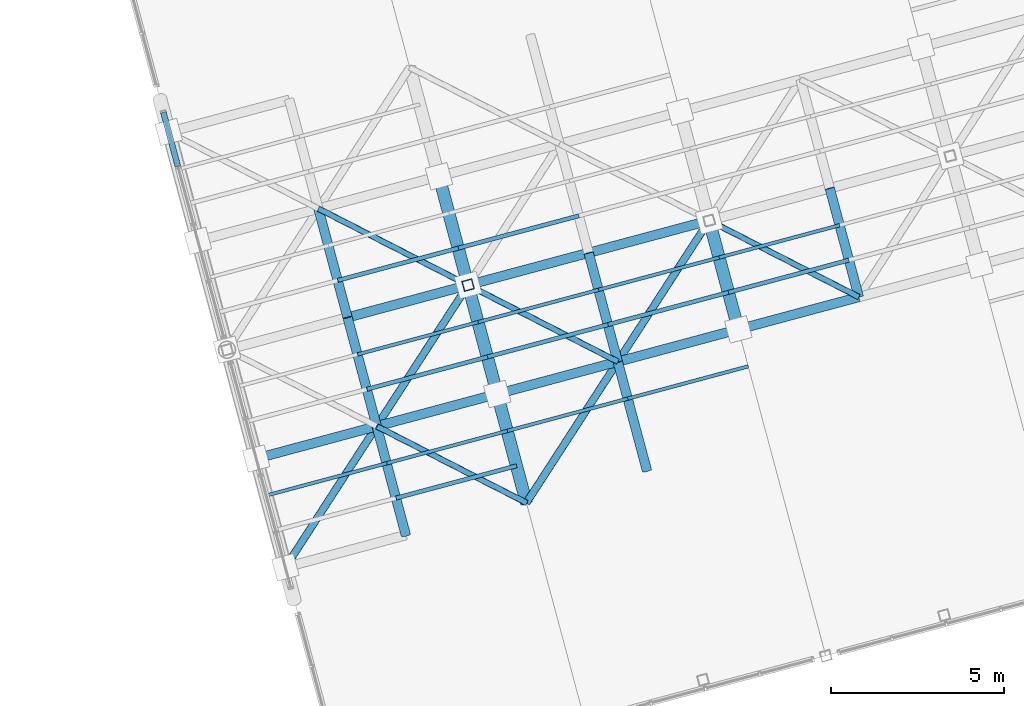
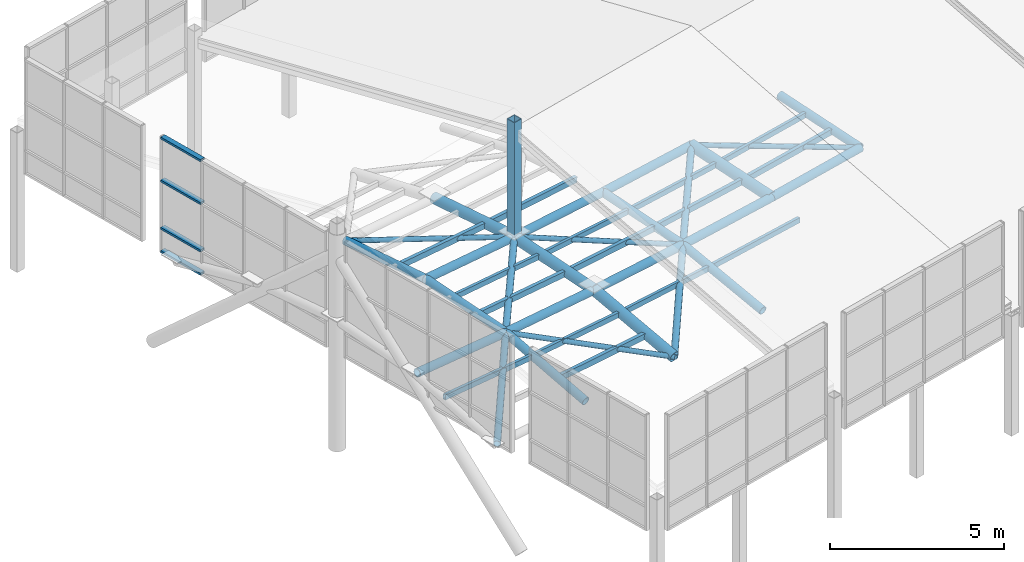
# One storey, part 6 of 28: 46 members, 1 element without a shape of its own.
"""IFC4 building model written with IfcOpenShell, lengths in metres."""

from ifc_helpers import new_model, si_unit, direction, frame, origin, origin_2d, place, context, subcontext, project, spatial, hollow_rectangle, hollow_circle, extrude, material, layer, layer_set, material_profile, profile_set, type_object, element, aggregate, save


model = new_model("IFC4")

# Units and contexts
model_context = context("Model", 3, precision=1e-05, world=origin(), true_north=direction((0.0, 1.0)))
body_context = subcontext(model_context, "Body", "Model", "MODEL_VIEW")
ifc_project = project(units=[si_unit("LENGTHUNIT", "METRE"), si_unit("AREAUNIT", "SQUARE_METRE"), si_unit("VOLUMEUNIT", "CUBIC_METRE"), si_unit("PLANEANGLEUNIT", "RADIAN"), si_unit("MASSUNIT", "GRAM", prefix="KILO")], contexts=[model_context])

# Site, building, storey
site_placement = place(None, origin())
site = spatial("IfcSite", under=ifc_project, at=site_placement, CompositionType="ELEMENT")
building_placement = place(site_placement, origin())
building = spatial("IfcBuilding", under=site, at=building_placement, Name="Ventoquebrada Cableway Terminal", CompositionType="ELEMENT")
storey_placement = place(building_placement, frame((0.0, 0.0, 23.39990234375)))
storey = spatial("IfcBuildingStorey", under=building, at=storey_placement, Name="RF", CompositionType="ELEMENT", Elevation=23.39990234375)

# Members
ifc_material_1 = material(Name="Steel ASTM A500 Grade C", Category="steel")
ifc_material_profile_1 = material_profile(ifc_material_1, hollow_circle(Radius=0.109619140625, WallThickness=0.010009765625, at=origin_2d()), Name="CHS219.1X10")
ifc_profile_set_1 = profile_set([ifc_material_profile_1], Name="Steel ASTM A500 Grade C")
member_type_1 = type_object("IfcMemberType", Name="BRC-GS01", PredefinedType="BRACE", material=ifc_profile_set_1)
member_1_placement = place(storey_placement, frame((50.2958984375, 76.06298828125, -0.06982421875), z_axis=(0.540495578496, 0.834747038198, 0.105175623823), x_axis=(-0.839402648036, 0.543510068416, 0.0)))
element("IfcMember", 1, at=member_1_placement, inside=storey, type_object=member_type_1, Name="Saddle gridshell diagrid brace GBR-0199", PredefinedType="BRACE", context=body_context, shape_type="SweptSolid", body=[
    extrude(hollow_circle(Radius=0.109619140625, WallThickness=0.010009765625, at=origin_2d()), origin(), (0.0, 0.0, 1.0), 4.876953125),
])
member_2_placement = place(storey_placement, frame((52.931884765625, 80.134033203125, 0.443115234375), z_axis=(0.54353223096, 0.839359136068, -0.006996756816), x_axis=(-0.83937968207, 0.543545535652, 0.0)))
element("IfcMember", 2, at=member_2_placement, inside=storey, type_object=member_type_1, Name="Saddle gridshell diagrid brace GBR-0226", PredefinedType="BRACE", context=body_context, shape_type="SweptSolid", body=[
    extrude(hollow_circle(Radius=0.109619140625, WallThickness=0.010009765625, at=origin_2d()), origin(), (0.0, 0.0, 1.0), 4.85009765625),
])
member_3_placement = place(storey_placement, frame((57.25, 77.926025390625, -0.587890625), z_axis=(0.540111573211, 0.834153976409, 0.111654073484), x_axis=(-0.839402648036, 0.543510068416, 0.0)))
element("IfcMember", 3, at=member_3_placement, inside=storey, type_object=member_type_1, Name="Saddle gridshell diagrid brace GBR-0247", PredefinedType="BRACE", context=body_context, shape_type="SweptSolid", body=[
    extrude(hollow_circle(Radius=0.109619140625, WallThickness=0.010009765625, at=origin_2d()), origin(), (0.0, 0.0, 1.0), 4.88037109375),
])
member_4_placement = place(storey_placement, frame((59.885986328125, 81.9970703125, -0.04296875), z_axis=(0.543522253057, 0.839110598067, 0.021839520214), x_axis=(-0.839310782724, 0.543651919892, 0.0)))
element("IfcMember", 4, at=member_4_placement, inside=storey, type_object=member_type_1, Name="Saddle gridshell diagrid brace GBR-0274", PredefinedType="BRACE", context=body_context, shape_type="SweptSolid", body=[
    extrude(hollow_circle(Radius=0.109619140625, WallThickness=0.010009765625, at=origin_2d()), origin(), (0.0, 0.0, 1.0), 4.8515625),
])
ifc_material_profile_2 = material_profile(ifc_material_1, hollow_circle(Radius=0.084228515625, WallThickness=0.008056640625, at=origin_2d()), Name="CHS168.3X8")
ifc_profile_set_2 = profile_set([ifc_material_profile_2], Name="Steel ASTM A500 Grade C")
member_type_2 = type_object("IfcMemberType", Name="BRC-GS02", PredefinedType="BRACE", material=ifc_profile_set_2)
member_5_placement = place(storey_placement, frame((52.931884765625, 80.134033203125, 0.443115234375), z_axis=(0.870892404229, -0.445318646681, -0.20793682496), x_axis=(0.455269816893, 0.890353521825, 0.0)))
element("IfcMember", 5, at=member_5_placement, inside=storey, type_object=member_type_2, Name="Saddle gridshell diagrid brace GBR-0223", PredefinedType="BRACE", context=body_context, shape_type="SweptSolid", body=[
    extrude(hollow_circle(Radius=0.084228515625, WallThickness=0.008056640625, at=origin_2d()), origin(), (0.0, 0.0, 1.0), 4.958251953125),
])
member_6_placement = place(storey_placement, frame((51.25, 86.412109375, 0.443115234375), z_axis=(0.890413334279, -0.455099029902, -0.006997651013), x_axis=(0.455110172756, 0.890435135568, 0.0)))
element("IfcMember", 6, at=member_6_placement, inside=storey, type_object=member_type_2, Name="Saddle gridshell diagrid brace GBR-0229", PredefinedType="BRACE", context=body_context, shape_type="SweptSolid", body=[
    extrude(hollow_circle(Radius=0.084228515625, WallThickness=0.008056640625, at=origin_2d()), origin(), (0.0, 0.0, 1.0), 4.849609375),
])
member_7_placement = place(storey_placement, frame((55.568115234375, 84.205078125, 0.4091796875), z_axis=(0.886498543226, -0.453324257884, -0.09283022176), x_axis=(0.455290222831, 0.890343087239, 0.0)))
element("IfcMember", 7, at=member_7_placement, inside=storey, type_object=member_type_2, Name="Saddle gridshell diagrid brace GBR-0250", PredefinedType="BRACE", context=body_context, shape_type="SweptSolid", body=[
    extrude(hollow_circle(Radius=0.084228515625, WallThickness=0.008056640625, at=origin_2d()), origin(), (0.0, 0.0, 1.0), 4.87060546875),
])
member_8_placement = place(storey_placement, frame((62.52294921875, 86.068115234375, 0.06298828125), z_axis=(0.889080290332, -0.454417698004, -0.055143386583), x_axis=(0.455110172756, 0.890435135568, 0.0)))
element("IfcMember", 8, at=member_8_placement, inside=storey, type_object=member_type_2, Name="Saddle gridshell diagrid brace GBR-0298", PredefinedType="BRACE", context=body_context, shape_type="SweptSolid", body=[
    extrude(hollow_circle(Radius=0.084228515625, WallThickness=0.008056640625, at=origin_2d()), origin(), (0.0, 0.0, 1.0), 4.85693359375),
])
ifc_material_profile_3 = material_profile(ifc_material_1, hollow_circle(Radius=0.177734375, WallThickness=0.012451171875, at=origin_2d()), Name="CHS355.6X12.5")
ifc_profile_set_3 = profile_set([ifc_material_profile_3], Name="Steel ASTM A500 Grade C")
member_type_3 = type_object("IfcMemberType", Name="CHD-GS01", PredefinedType="CHORD", material=ifc_profile_set_3)
member_9_placement = place(storey_placement, frame((57.25, 77.926025390625, -0.587890625), z_axis=(-0.252237781762, 0.941370438351, 0.224048653757), x_axis=(-0.965926253902, -0.258817449225, 0.0)))
element("IfcMember", 9, at=member_9_placement, inside=storey, type_object=member_type_3, Name="Saddle gridshell arch chord GCH-0033", PredefinedType="CHORD", context=body_context, shape_type="SweptSolid", body=[
    extrude(hollow_circle(Radius=0.177734375, WallThickness=0.012451171875, at=origin_2d()), origin(), (0.0, 0.0, 1.0), 3.33447265625),
])
member_10_placement = place(storey_placement, frame((56.408935546875, 81.06494140625, 0.1591796875), z_axis=(-0.257891982727, 0.963126214236, 0.07667868476), x_axis=(-0.965970169845, -0.258653495953, 0.0)))
element("IfcMember", 10, at=member_10_placement, inside=storey, type_object=member_type_3, Name="Saddle gridshell arch chord GCH-0034", PredefinedType="CHORD", context=body_context, shape_type="SweptSolid", body=[
    extrude(hollow_circle(Radius=0.177734375, WallThickness=0.012451171875, at=origin_2d()), origin(), (0.0, 0.0, 1.0), 3.26025390625),
])
member_11_placement = place(storey_placement, frame((55.568115234375, 84.205078125, 0.4091796875), z_axis=(-0.25805493216, 0.963080482666, -0.076704862273), x_axis=(-0.965926253902, -0.258817449225, 0.0)))
element("IfcMember", 11, at=member_11_placement, inside=storey, type_object=member_type_3, Name="Saddle gridshell arch chord GCH-0035", PredefinedType="CHORD", context=body_context, shape_type="SweptSolid", body=[
    extrude(hollow_circle(Radius=0.177734375, WallThickness=0.012451171875, at=origin_2d()), origin(), (0.0, 0.0, 1.0), 3.25927734375),
])
member_12_placement = place(storey_placement, frame((63.364013671875, 82.928955078125, -0.163818359375), z_axis=(-0.258170716916, 0.963587540815, 0.069619911761), x_axis=(-0.965931285943, -0.258798668539, 0.0)))
element("IfcMember", 12, at=member_12_placement, inside=storey, type_object=member_type_3, Name="Saddle gridshell arch chord GCH-0050", PredefinedType="CHORD", context=body_context, shape_type="SweptSolid", body=[
    extrude(hollow_circle(Radius=0.177734375, WallThickness=0.012451171875, at=origin_2d()), origin(), (0.0, 0.0, 1.0), 3.2578125),
])
ifc_material_profile_4 = material_profile(ifc_material_1, hollow_circle(Radius=0.136474609375, WallThickness=0.012451171875, at=origin_2d()), Name="CHS273.0X12.5")
ifc_profile_set_4 = profile_set([ifc_material_profile_4], Name="Steel ASTM A500 Grade C")
member_type_4 = type_object("IfcMemberType", Name="CHD-GS02", PredefinedType="CHORD", material=ifc_profile_set_4)
member_13_placement = place(storey_placement, frame((53.77294921875, 76.993896484375, -0.36181640625), z_axis=(-0.251139408463, 0.937635724718, 0.240350255356), x_axis=(-0.965951403156, -0.258723572063, 0.0)))
element("IfcMember", 13, at=member_13_placement, inside=storey, type_object=member_type_4, Name="Saddle gridshell arch chord GCH-0025", PredefinedType="CHORD", context=body_context, shape_type="SweptSolid", body=[
    extrude(hollow_circle(Radius=0.136474609375, WallThickness=0.012451171875, at=origin_2d()), origin(), (0.0, 0.0, 1.0), 3.348876953125),
])
member_14_placement = place(storey_placement, frame((52.931884765625, 80.134033203125, 0.443115234375), z_axis=(-0.257871427229, 0.962675069651, 0.08221336443), x_axis=(-0.965945033724, -0.258747351337, 0.0)))
element("IfcMember", 14, at=member_14_placement, inside=storey, type_object=member_type_4, Name="Saddle gridshell arch chord GCH-0026", PredefinedType="CHORD", context=body_context, shape_type="SweptSolid", body=[
    extrude(hollow_circle(Radius=0.136474609375, WallThickness=0.012451171875, at=origin_2d()), origin(), (0.0, 0.0, 1.0), 3.260498046875),
])
member_15_placement = place(storey_placement, frame((52.091064453125, 83.27294921875, 0.711181640625), z_axis=(-0.257922731093, 0.962661967021, -0.082205851594), x_axis=(-0.965931285943, -0.258798668539, 0.0)))
element("IfcMember", 15, at=member_15_placement, inside=storey, type_object=member_type_4, Name="Saddle gridshell arch chord GCH-0027", PredefinedType="CHORD", context=body_context, shape_type="SweptSolid", body=[
    extrude(hollow_circle(Radius=0.136474609375, WallThickness=0.012451171875, at=origin_2d()), origin(), (0.0, 0.0, 1.0), 3.260986328125),
])
member_16_placement = place(storey_placement, frame((60.72802734375, 78.85791015625, -0.75), z_axis=(-0.253158101008, 0.943782795812, 0.212567660342), x_axis=(-0.965856133614, -0.259079001776, 0.0)))
element("IfcMember", 16, at=member_16_placement, inside=storey, type_object=member_type_4, Name="Saddle gridshell arch chord GCH-0041", PredefinedType="CHORD", context=body_context, shape_type="SweptSolid", body=[
    extrude(hollow_circle(Radius=0.136474609375, WallThickness=0.012451171875, at=origin_2d()), origin(), (0.0, 0.0, 1.0), 3.326171875),
])
member_17_placement = place(storey_placement, frame((59.885986328125, 81.9970703125, -0.04296875), z_axis=(-0.258062617577, 0.963408802514, 0.072437315297), x_axis=(-0.965946375494, -0.258742342242, 0.0)))
element("IfcMember", 17, at=member_17_placement, inside=storey, type_object=member_type_4, Name="Saddle gridshell arch chord GCH-0042", PredefinedType="CHORD", context=body_context, shape_type="SweptSolid", body=[
    extrude(hollow_circle(Radius=0.136474609375, WallThickness=0.012451171875, at=origin_2d()), origin(), (0.0, 0.0, 1.0), 3.259033203125),
])
member_18_placement = place(storey_placement, frame((66.841064453125, 83.861083984375, -0.204833984375), z_axis=(-0.258200093579, 0.963622236036, 0.069028239822), x_axis=(-0.965926253902, -0.258817449225, 0.0)))
element("IfcMember", 18, at=member_18_placement, inside=storey, type_object=member_type_4, Name="Saddle gridshell arch chord GCH-0058", PredefinedType="CHORD", context=body_context, shape_type="SweptSolid", body=[
    extrude(hollow_circle(Radius=0.136474609375, WallThickness=0.012451171875, at=origin_2d()), origin(), (0.0, 0.0, 1.0), 3.25732421875),
])
member_19_placement = place(storey_placement, frame((49.4541015625, 79.201904296875, 0.80712890625), z_axis=(0.96100894727, 0.257573335253, -0.100587177282), x_axis=(-0.258886342435, 0.96590779151, 0.0)))
element("IfcMember", 19, at=member_19_placement, inside=storey, type_object=member_type_4, Name="Saddle gridshell longitudinal chord GLG-0133", PredefinedType="CHORD", context=body_context, shape_type="SweptSolid", body=[
    extrude(hollow_circle(Radius=0.136474609375, WallThickness=0.012451171875, at=origin_2d()), origin(), (0.0, 0.0, 1.0), 3.618896484375),
])
member_20_placement = place(storey_placement, frame((52.931884765625, 80.134033203125, 0.443115234375), z_axis=(0.962987555336, 0.257819937403, -0.078637447469), x_axis=(-0.258620813366, 0.965978920523, 0.0)))
element("IfcMember", 20, at=member_20_placement, inside=storey, type_object=member_type_4, Name="Saddle gridshell longitudinal chord GLG-0134", PredefinedType="CHORD", context=body_context, shape_type="SweptSolid", body=[
    extrude(hollow_circle(Radius=0.136474609375, WallThickness=0.012451171875, at=origin_2d()), origin(), (0.0, 0.0, 1.0), 3.610595703125),
])
member_21_placement = place(storey_placement, frame((56.408935546875, 81.06494140625, 0.1591796875), z_axis=(0.964374825325, 0.258529917363, -0.056066729067), x_axis=(-0.258937219442, 0.965894153822, 0.0)))
element("IfcMember", 21, at=member_21_placement, inside=storey, type_object=member_type_4, Name="Saddle gridshell longitudinal chord GLG-0135", PredefinedType="CHORD", context=body_context, shape_type="SweptSolid", body=[
    extrude(hollow_circle(Radius=0.136474609375, WallThickness=0.012451171875, at=origin_2d()), origin(), (0.0, 0.0, 1.0), 3.60546875),
])
member_22_placement = place(storey_placement, frame((59.885986328125, 81.9970703125, -0.04296875), z_axis=(0.965385707077, 0.258660483217, -0.0335438667), x_axis=(-0.25880612736, 0.965929287495, 0.0)))
element("IfcMember", 22, at=member_22_placement, inside=storey, type_object=member_type_4, Name="Saddle gridshell longitudinal chord GLG-0136", PredefinedType="CHORD", context=body_context, shape_type="SweptSolid", body=[
    extrude(hollow_circle(Radius=0.136474609375, WallThickness=0.012451171875, at=origin_2d()), origin(), (0.0, 0.0, 1.0), 3.602783203125),
])
member_23_placement = place(storey_placement, frame((63.364013671875, 82.928955078125, -0.163818359375), z_axis=(0.965831464592, 0.258920413693, -0.011393040728), x_axis=(-0.258937219442, 0.965894153822, 0.0)))
element("IfcMember", 23, at=member_23_placement, inside=storey, type_object=member_type_4, Name="Saddle gridshell longitudinal chord GLG-0137", PredefinedType="CHORD", context=body_context, shape_type="SweptSolid", body=[
    extrude(hollow_circle(Radius=0.136474609375, WallThickness=0.012451171875, at=origin_2d()), origin(), (0.0, 0.0, 1.0), 3.60009765625),
])
member_24_placement = place(storey_placement, frame((52.091064453125, 83.27294921875, 0.711181640625), z_axis=(0.962512953096, 0.25803078605, -0.083599812033), x_axis=(-0.258937219442, 0.965894153822, 0.0)))
element("IfcMember", 24, at=member_24_placement, inside=storey, type_object=member_type_4, Name="Saddle gridshell longitudinal chord GLG-0144", PredefinedType="CHORD", context=body_context, shape_type="SweptSolid", body=[
    extrude(hollow_circle(Radius=0.136474609375, WallThickness=0.012451171875, at=origin_2d()), origin(), (0.0, 0.0, 1.0), 3.612548828125),
])
member_25_placement = place(storey_placement, frame((55.568115234375, 84.205078125, 0.4091796875), z_axis=(0.964171130087, 0.258425756867, -0.059917944676), x_axis=(-0.258890904628, 0.965906568722, 0.0)))
element("IfcMember", 25, at=member_25_placement, inside=storey, type_object=member_type_4, Name="Saddle gridshell longitudinal chord GLG-0145", PredefinedType="CHORD", context=body_context, shape_type="SweptSolid", body=[
    extrude(hollow_circle(Radius=0.136474609375, WallThickness=0.012451171875, at=origin_2d()), origin(), (0.0, 0.0, 1.0), 3.60595703125),
])
member_26_placement = place(storey_placement, frame((59.044921875, 85.136962890625, 0.193115234375), z_axis=(0.965349864485, 0.258447591124, -0.036117610401), x_axis=(-0.258616326312, 0.965980121827, 0.0)))
element("IfcMember", 26, at=member_26_placement, inside=storey, type_object=member_type_4, Name="Saddle gridshell longitudinal chord GLG-0146", PredefinedType="CHORD", context=body_context, shape_type="SweptSolid", body=[
    extrude(hollow_circle(Radius=0.136474609375, WallThickness=0.012451171875, at=origin_2d()), origin(), (0.0, 0.0, 1.0), 3.602783203125),
])

# Curtain wall, members
ifc_material_2 = material(Name="Anodized thermally-broken aluminium", Category="aluminium")
ifc_layer = layer(ifc_material_2, 0.159912109375)
ifc_layer_set = layer_set([ifc_layer], Name="Anodized thermally-broken aluminium")
curtain_wall_type = type_object("IfcCurtainWallType", Name="CW-T50", PredefinedType="USERDEFINED", material=ifc_layer_set)
curtain_wall_placement = place(storey_placement, origin())
curtain_wall = element("IfcCurtainWall", 27, at=curtain_wall_placement, inside=storey, type_object=curtain_wall_type, Name="Unitised glazed curtain wall CW-163", ObjectType="UNITISED CURTAIN WALL", PredefinedType="USERDEFINED")
ifc_material_profile_5 = material_profile(ifc_material_2, hollow_rectangle(XDim=0.074951171875, YDim=0.169921875, WallThickness=0.00439453125, at=origin_2d()), Name="CW-TRN-75X170")
ifc_profile_set_5 = profile_set([ifc_material_profile_5], Name="Anodized thermally-broken aluminium")
member_type_5 = type_object("IfcMemberType", Name="CWT-03", PredefinedType="USERDEFINED", material=ifc_profile_set_5)
member_27_placement = place(storey_placement, frame((46.779052734375, 89.18994140625, -0.02001953125), z_axis=(0.258791494835, -0.96593320794, 0.0), x_axis=(0.0, 0.0, 1.0)))
member_27 = element("IfcMember", 28, at=member_27_placement, type_object=member_type_5, Name="Curtain wall transom FTR-2312", ObjectType="TRANSOM", PredefinedType="USERDEFINED", context=body_context, shape_type="SweptSolid", body=[
    extrude(hollow_rectangle(XDim=0.074951171875, YDim=0.169921875, WallThickness=0.00439453125, at=origin_2d()), origin(), (0.0, 0.0, 1.0), 1.614990234375),
])
member_28_placement = place(storey_placement, frame((46.779052734375, 89.18994140625, 0.795166015625), z_axis=(0.258791494835, -0.96593320794, 0.0), x_axis=(0.0, 0.0, 1.0)))
member_28 = element("IfcMember", 29, at=member_28_placement, type_object=member_type_5, Name="Curtain wall transom FTR-2313", ObjectType="TRANSOM", PredefinedType="USERDEFINED", context=body_context, shape_type="SweptSolid", body=[
    extrude(hollow_rectangle(XDim=0.074951171875, YDim=0.169921875, WallThickness=0.00439453125, at=origin_2d()), origin(), (0.0, 0.0, 1.0), 1.614990234375),
])
member_29_placement = place(storey_placement, frame((46.779052734375, 89.18994140625, 2.458984375), z_axis=(0.258791494835, -0.96593320794, 0.0), x_axis=(0.0, 0.0, 1.0)))
member_29 = element("IfcMember", 30, at=member_29_placement, type_object=member_type_5, Name="Curtain wall transom FTR-2314", ObjectType="TRANSOM", PredefinedType="USERDEFINED", context=body_context, shape_type="SweptSolid", body=[
    extrude(hollow_rectangle(XDim=0.074951171875, YDim=0.169921875, WallThickness=0.00439453125, at=origin_2d()), origin(), (0.0, 0.0, 1.0), 1.614990234375),
])
member_30_placement = place(storey_placement, frame((46.779052734375, 89.18994140625, 3.965087890625), z_axis=(0.258791494835, -0.96593320794, 0.0), x_axis=(0.0, 0.0, 1.0)))
member_30 = element("IfcMember", 31, at=member_30_placement, type_object=member_type_5, Name="Curtain wall transom FTR-2315", ObjectType="TRANSOM", PredefinedType="USERDEFINED", context=body_context, shape_type="SweptSolid", body=[
    extrude(hollow_rectangle(XDim=0.074951171875, YDim=0.169921875, WallThickness=0.00439453125, at=origin_2d()), origin(), (0.0, 0.0, 1.0), 1.614990234375),
])
aggregate(curtain_wall, [member_27, member_28, member_29, member_30])

# Members
ifc_material_profile_6 = material_profile(ifc_material_1, hollow_rectangle(XDim=0.1201171875, YDim=0.199951171875, WallThickness=0.008056640625, at=origin_2d()), Name="RHS200X120X8")
ifc_profile_set_6 = profile_set([ifc_material_profile_6], Name="Steel ASTM A500 Grade C")
member_type_6 = type_object("IfcMemberType", Name="PUR-RF01", PredefinedType="PURLIN", material=ifc_profile_set_6)
member_31_placement = place(storey_placement, frame((53.487060546875, 78.06201171875, -0.087890625), z_axis=(0.963729178106, 0.258018491512, -0.068209451729), x_axis=(-0.258620813366, 0.965978920523, 0.0)))
element("IfcMember", 32, at=member_31_placement, inside=storey, type_object=member_type_6, Name="Gridshell secondary roof purlin GPR-0224", PredefinedType="PURLIN", context=body_context, shape_type="SweptSolid", body=[
    extrude(hollow_rectangle(XDim=0.1201171875, YDim=0.199951171875, WallThickness=0.008056640625, at=origin_2d()), origin(), (0.0, 0.0, 1.0), 3.60791015625),
])
member_32_placement = place(storey_placement, frame((52.64599609375, 81.200927734375, 0.5341796875), z_axis=(0.962774248899, 0.258100834314, -0.080310055308), x_axis=(-0.258937219442, 0.965894153822, 0.0)))
element("IfcMember", 33, at=member_32_placement, inside=storey, type_object=member_type_6, Name="Gridshell secondary roof purlin GPR-0227", PredefinedType="PURLIN", context=body_context, shape_type="SweptSolid", body=[
    extrude(hollow_rectangle(XDim=0.1201171875, YDim=0.199951171875, WallThickness=0.008056640625, at=origin_2d()), origin(), (0.0, 0.0, 1.0), 3.611572265625),
])
member_33_placement = place(storey_placement, frame((51.804931640625, 84.340087890625, 0.6201171875), z_axis=(0.962664350095, 0.258003779267, -0.081923128234), x_axis=(-0.258873944891, 0.965911114263, 0.0)))
element("IfcMember", 34, at=member_33_placement, inside=storey, type_object=member_type_6, Name="Gridshell secondary roof purlin GPR-0230", PredefinedType="PURLIN", context=body_context, shape_type="SweptSolid", body=[
    extrude(hollow_rectangle(XDim=0.1201171875, YDim=0.199951171875, WallThickness=0.008056640625, at=origin_2d()), origin(), (0.0, 0.0, 1.0), 3.61181640625),
])
member_34_placement = place(storey_placement, frame((56.123046875, 82.133056640625, 0.244140625), z_axis=(0.964317601728, 0.25844686742, -0.057417590666), x_axis=(-0.258873944891, 0.965911114263, 0.0)))
element("IfcMember", 35, at=member_34_placement, inside=storey, type_object=member_type_6, Name="Gridshell secondary roof purlin GPR-0251", PredefinedType="PURLIN", context=body_context, shape_type="SweptSolid", body=[
    extrude(hollow_rectangle(XDim=0.1201171875, YDim=0.199951171875, WallThickness=0.008056640625, at=origin_2d()), origin(), (0.0, 0.0, 1.0), 3.605712890625),
])
member_35_placement = place(storey_placement, frame((55.281982421875, 85.27197265625, 0.32421875), z_axis=(0.964236363268, 0.25849279841, -0.058563716769), x_axis=(-0.258937219442, 0.965894153822, 0.0)))
element("IfcMember", 36, at=member_35_placement, inside=storey, type_object=member_type_6, Name="Gridshell secondary roof purlin GPR-0254", PredefinedType="PURLIN", context=body_context, shape_type="SweptSolid", body=[
    extrude(hollow_rectangle(XDim=0.1201171875, YDim=0.199951171875, WallThickness=0.008056640625, at=origin_2d()), origin(), (0.0, 0.0, 1.0), 3.60595703125),
])
member_36_placement = place(storey_placement, frame((59.60009765625, 83.06494140625, 0.037109375), z_axis=(0.965402942357, 0.258479945395, -0.034427847997), x_axis=(-0.258633266835, 0.965975586279, 0.0)))
element("IfcMember", 37, at=member_36_placement, inside=storey, type_object=member_type_6, Name="Gridshell secondary roof purlin GPR-0275", PredefinedType="PURLIN", context=body_context, shape_type="SweptSolid", body=[
    extrude(hollow_rectangle(XDim=0.1201171875, YDim=0.199951171875, WallThickness=0.008056640625, at=origin_2d()), origin(), (0.0, 0.0, 1.0), 3.602294921875),
])
member_37_placement = place(storey_placement, frame((63.077880859375, 83.99609375, -0.0869140625), z_axis=(0.96584540114, 0.25885633311, -0.011664471914), x_axis=(-0.258873944891, 0.965911114263, 0.0)))
element("IfcMember", 38, at=member_37_placement, inside=storey, type_object=member_type_6, Name="Gridshell secondary roof purlin GPR-0299", PredefinedType="PURLIN", context=body_context, shape_type="SweptSolid", body=[
    extrude(hollow_rectangle(XDim=0.1201171875, YDim=0.199951171875, WallThickness=0.008056640625, at=origin_2d()), origin(), (0.0, 0.0, 1.0), 3.60009765625),
])
ifc_material_profile_7 = material_profile(ifc_material_1, hollow_rectangle(XDim=0.10009765625, YDim=0.179931640625, WallThickness=0.008056640625, at=origin_2d()), Name="RHS180X100X8")
ifc_profile_set_7 = profile_set([ifc_material_profile_7], Name="Steel ASTM A500 Grade C")
member_type_7 = type_object("IfcMemberType", Name="PUR-RF02", PredefinedType="PURLIN", material=ifc_profile_set_7)
member_38_placement = place(storey_placement, frame((49.739990234375, 78.135009765625, 0.509033203125), z_axis=(0.961722416581, 0.257408927027, -0.093971472967), x_axis=(-0.258553052639, 0.965997059504, 0.0)))
element("IfcMember", 39, at=member_38_placement, inside=storey, type_object=member_type_7, Name="Gridshell secondary roof purlin GPR-0201", PredefinedType="PURLIN", context=body_context, shape_type="SweptSolid", body=[
    extrude(hollow_rectangle(XDim=0.10009765625, YDim=0.179931640625, WallThickness=0.008056640625, at=origin_2d()), origin(), (0.0, 0.0, 1.0), 3.616455078125),
])
member_39_placement = place(storey_placement, frame((53.218017578125, 79.06591796875, 0.169189453125), z_axis=(0.963304023957, 0.258242856584, -0.073184591625), x_axis=(-0.258937219442, 0.965894153822, 0.0)))
element("IfcMember", 40, at=member_39_placement, inside=storey, type_object=member_type_7, Name="Gridshell secondary roof purlin GPR-0225", PredefinedType="PURLIN", context=body_context, shape_type="SweptSolid", body=[
    extrude(hollow_rectangle(XDim=0.10009765625, YDim=0.179931640625, WallThickness=0.008056640625, at=origin_2d()), origin(), (0.0, 0.0, 1.0), 3.609619140625),
])
member_40_placement = place(storey_placement, frame((52.376953125, 82.2060546875, 0.6201171875), z_axis=(0.962731474842, 0.257751377164, -0.081928840578), x_axis=(-0.258620813366, 0.965978920523, 0.0)))
element("IfcMember", 41, at=member_40_placement, inside=storey, type_object=member_type_7, Name="Gridshell secondary roof purlin GPR-0228", PredefinedType="PURLIN", context=body_context, shape_type="SweptSolid", body=[
    extrude(hollow_rectangle(XDim=0.10009765625, YDim=0.179931640625, WallThickness=0.008056640625, at=origin_2d()), origin(), (0.0, 0.0, 1.0), 3.611572265625),
])
member_41_placement = place(storey_placement, frame((56.695068359375, 79.998046875, -0.094970703125), z_axis=(0.964596695376, 0.25852166734, -0.052151344996), x_axis=(-0.258873944891, 0.965911114263, 0.0)))
element("IfcMember", 42, at=member_41_placement, inside=storey, type_object=member_type_7, Name="Gridshell secondary roof purlin GPR-0249", PredefinedType="PURLIN", context=body_context, shape_type="SweptSolid", body=[
    extrude(hollow_rectangle(XDim=0.10009765625, YDim=0.179931640625, WallThickness=0.008056640625, at=origin_2d()), origin(), (0.0, 0.0, 1.0), 3.604736328125),
])
member_42_placement = place(storey_placement, frame((55.85400390625, 83.136962890625, 0.32421875), z_axis=(0.964236363268, 0.25849279841, -0.058563716769), x_axis=(-0.258937219442, 0.965894153822, 0.0)))
element("IfcMember", 43, at=member_42_placement, inside=storey, type_object=member_type_7, Name="Gridshell secondary roof purlin GPR-0252", PredefinedType="PURLIN", context=body_context, shape_type="SweptSolid", body=[
    extrude(hollow_rectangle(XDim=0.10009765625, YDim=0.179931640625, WallThickness=0.008056640625, at=origin_2d()), origin(), (0.0, 0.0, 1.0), 3.60595703125),
])
member_43_placement = place(storey_placement, frame((60.172119140625, 80.929931640625, -0.282958984375), z_axis=(0.965423887291, 0.258756644554, -0.031649909117), x_axis=(-0.258886342435, 0.96590779151, 0.0)))
element("IfcMember", 44, at=member_43_placement, inside=storey, type_object=member_type_7, Name="Gridshell secondary roof purlin GPR-0273", PredefinedType="PURLIN", context=body_context, shape_type="SweptSolid", body=[
    extrude(hollow_rectangle(XDim=0.10009765625, YDim=0.179931640625, WallThickness=0.008056640625, at=origin_2d()), origin(), (0.0, 0.0, 1.0), 3.602294921875),
])
member_44_placement = place(storey_placement, frame((59.3310546875, 84.069091796875, 0.113037109375), z_axis=(0.965329465846, 0.258645414231, -0.035235948494), x_axis=(-0.25880612736, 0.965929287495, 0.0)))
element("IfcMember", 45, at=member_44_placement, inside=storey, type_object=member_type_7, Name="Gridshell secondary roof purlin GPR-0276", PredefinedType="PURLIN", context=body_context, shape_type="SweptSolid", body=[
    extrude(hollow_rectangle(XDim=0.10009765625, YDim=0.179931640625, WallThickness=0.008056640625, at=origin_2d()), origin(), (0.0, 0.0, 1.0), 3.60302734375),
])
member_45_placement = place(storey_placement, frame((62.80908203125, 85.0009765625, -0.013916015625), z_axis=(0.965823888178, 0.258936563799, -0.011665031161), x_axis=(-0.258954182729, 0.965889606139, 0.0)))
element("IfcMember", 46, at=member_45_placement, inside=storey, type_object=member_type_7, Name="Gridshell secondary roof purlin GPR-0300", PredefinedType="PURLIN", context=body_context, shape_type="SweptSolid", body=[
    extrude(hollow_rectangle(XDim=0.10009765625, YDim=0.179931640625, WallThickness=0.008056640625, at=origin_2d()), origin(), (0.0, 0.0, 1.0), 3.599853515625),
])
ifc_material_profile_8 = material_profile(ifc_material_1, hollow_rectangle(XDim=0.300048828125, YDim=0.300048828125, WallThickness=0.01611328125, at=origin_2d()), Name="HSS300X300X16")
ifc_profile_set_8 = profile_set([ifc_material_profile_8], Name="Steel ASTM A500 Grade C")
member_type_8 = type_object("IfcMemberType", Name="STR-VS01", PredefinedType="STRUT", material=ifc_profile_set_8)
member_46_placement = place(storey_placement, frame((55.568115234375, 84.205078125, 0.4091796875), z_axis=(0.0, 0.0, 1.0), x_axis=(0.965925826289, 0.258819045103, 0.0)))
element("IfcMember", 47, at=member_46_placement, inside=storey, type_object=member_type_8, Name="Gridshell deck stand-off post GS-SP-0439", PredefinedType="STRUT", context=body_context, shape_type="SweptSolid", body=[
    extrude(hollow_rectangle(XDim=0.300048828125, YDim=0.300048828125, WallThickness=0.01611328125, at=origin_2d()), origin(), (0.0, 0.0, 1.0), 4.136962890625),
])

save(model, "model.ifc")
